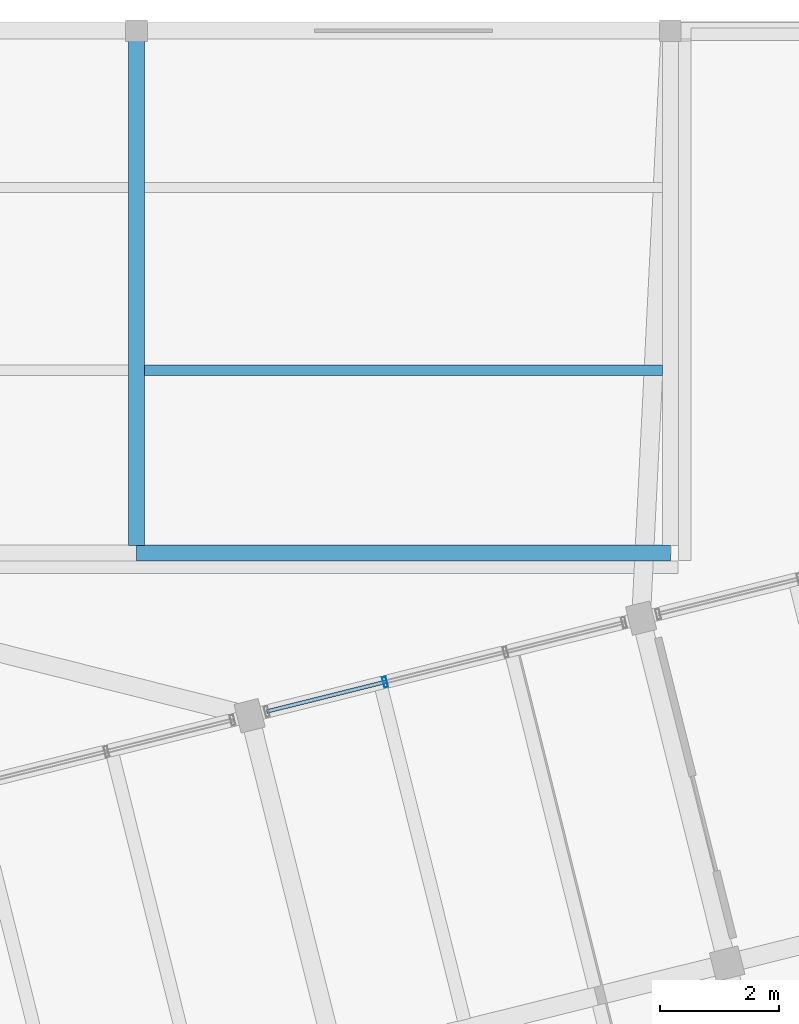
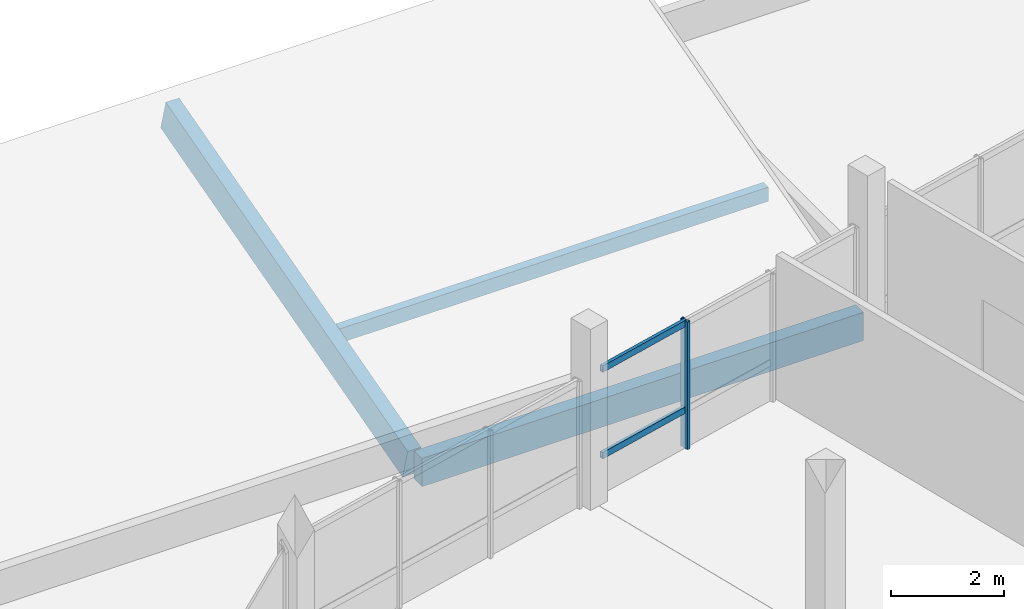
# One storey, part 26 of 37: 4 members, 2 beams, 1 element without a shape of its own.
"""IFC4 building model written with IfcOpenShell, lengths in metres."""

from ifc_helpers import new_model, si_unit, direction, frame, origin, origin_2d, place, context, subcontext, project, spatial, rectangle, hollow_rectangle, extrude, material, layer, layer_set, material_profile, profile_set, type_object, element, aggregate, save


model = new_model("IFC4")

# Units and contexts
model_context = context("Model", 3, precision=1e-05, world=origin(), true_north=direction((0.0, 1.0)))
body_context = subcontext(model_context, "Body", "Model", "MODEL_VIEW")
ifc_project = project(units=[si_unit("LENGTHUNIT", "METRE"), si_unit("AREAUNIT", "SQUARE_METRE"), si_unit("VOLUMEUNIT", "CUBIC_METRE"), si_unit("PLANEANGLEUNIT", "RADIAN"), si_unit("MASSUNIT", "GRAM", prefix="KILO")], contexts=[model_context])

# Site, building, storey
site_placement = place(None, origin())
site = spatial("IfcSite", under=ifc_project, at=site_placement, CompositionType="ELEMENT")
building_placement = place(site_placement, origin())
building = spatial("IfcBuilding", under=site, at=building_placement, Name="Meriwether Solvik Hall", CompositionType="ELEMENT")
storey_placement = place(building_placement, frame((0.0, 0.0, 26.10009765625)))
storey = spatial("IfcBuildingStorey", under=building, at=storey_placement, Name="L06", CompositionType="ELEMENT", Elevation=26.10009765625)

# Beams
ifc_material_1 = material(Name="Glulam Douglas-Fir 24F-V8 GL28h", Category="wood")
ifc_material_profile_1 = material_profile(ifc_material_1, rectangle(XDim=0.27294921875, YDim=0.610107421875, at=origin_2d()), Name="GLB-273X610")
ifc_profile_set_1 = profile_set([ifc_material_profile_1], Name="Glulam Douglas-Fir 24F-V8 GL28h")
beam_type_1 = type_object("IfcBeamType", Name="BM-GL-273X610", PredefinedType="SPANDREL", material=ifc_profile_set_1)
beam_1_placement = place(storey_placement, frame((86.800048828125, 84.0, -0.323974609375), z_axis=(1.0, 0.0, 0.0), x_axis=(0.0, 1.0, 0.0)))
element("IfcBeam", 1, at=beam_1_placement, inside=storey, type_object=beam_type_1, Name="Roof Tie Beam J:10-11 (L06)", PredefinedType="SPANDREL", context=body_context, shape_type="SweptSolid", body=[
    extrude(rectangle(XDim=0.27294921875, YDim=0.610107421875, at=origin_2d()), origin(), (0.0, 0.0, 1.0), 9.0),
])
ifc_material_2 = material(Name="Glulam Douglas-Fir 24F-V8 GL28h", Category="wood")
ifc_material_profile_2 = material_profile(ifc_material_2, rectangle(XDim=0.27294921875, YDim=0.68505859375, at=origin_2d()), Name="GLB-273X685")
ifc_profile_set_2 = profile_set([ifc_material_profile_2], Name="Glulam Douglas-Fir 24F-V8 GL28h")
beam_type_2 = type_object("IfcBeamType", Name="BM-GL-273X685", PredefinedType="BEAM", material=ifc_profile_set_2)
beam_2_placement = place(storey_placement, frame((86.800048828125, 84.21875, -0.31396484375), z_axis=(0.0, 0.964211732223, 0.265133429511), x_axis=(-1.0, 0.0, 0.0)))
element("IfcBeam", 2, at=beam_2_placement, inside=storey, type_object=beam_type_2, Name="Raking Glulam Roof Rafter w4b_north_w-10 (L06)", PredefinedType="BEAM", context=body_context, shape_type="SweptSolid", body=[
    extrude(rectangle(XDim=0.27294921875, YDim=0.68505859375, at=origin_2d()), origin(), (0.0, 0.0, 1.0), 8.861083984375),
])

# Curtain wall, members
ifc_material_3 = material(Name="Thermally Broken Anodised Aluminium 6063-T6 and Low-E Glass", Category="aluminium")
ifc_layer = layer(ifc_material_3, 0.179931640625)
ifc_layer_set = layer_set([ifc_layer], Name="Thermally Broken Anodised Aluminium 6063-T6 and Low-E Glass")
curtain_wall_type = type_object("IfcCurtainWallType", Name="CW-UNIT-E", PredefinedType="USERDEFINED", material=ifc_layer_set)
curtain_wall_placement = place(storey_placement, origin())
curtain_wall = element("IfcCurtainWall", 3, at=curtain_wall_placement, inside=storey, type_object=curtain_wall_type, Name="Curtain Wall E4_B4 (L06)", ObjectType="UNITISED CURTAIN WALL", PredefinedType="USERDEFINED")
ifc_material_4 = material(Name="Anodised Aluminium 6063-T6", Category="aluminium")
ifc_material_profile_3 = material_profile(ifc_material_4, hollow_rectangle(XDim=0.06494140625, YDim=0.179931640625, WallThickness=0.00439453125, at=origin_2d()), Name="CWM-65X180")
ifc_profile_set_3 = profile_set([ifc_material_profile_3], Name="Anodised Aluminium 6063-T6")
member_type_1 = type_object("IfcMemberType", Name="CW-MUL-65X180", PredefinedType="MULLION", material=ifc_profile_set_3)
member_1_placement = place(storey_placement, frame((90.990478515625, 81.823486328125, 0.0), z_axis=(0.0, 0.0, 1.0), x_axis=(0.970295747269, 0.2419218114, 0.0)))
member_1 = element("IfcMember", 4, at=member_1_placement, type_object=member_type_1, Name="Curtain Wall Mullion 2", PredefinedType="MULLION", context=body_context, shape_type="SweptSolid", body=[
    extrude(hollow_rectangle(XDim=0.06494140625, YDim=0.179931640625, WallThickness=0.00439453125, at=origin_2d()), origin(), (0.0, 0.0, 1.0), 2.75),
])
ifc_material_5 = material(Name="Anodised Aluminium 6063-T6", Category="aluminium")
ifc_material_profile_4 = material_profile(ifc_material_5, hollow_rectangle(XDim=0.06494140625, YDim=0.139892578125, WallThickness=0.00439453125, at=origin_2d()), Name="CWT-65X140")
ifc_profile_set_4 = profile_set([ifc_material_profile_4], Name="Anodised Aluminium 6063-T6")
member_type_2 = type_object("IfcMemberType", Name="CW-TRN-65X140", PredefinedType="USERDEFINED", material=ifc_profile_set_4)
member_2_placement = place(storey_placement, frame((88.995849609375, 81.326171875, 0.824951171875), z_axis=(0.970295999012, 0.241920801712, 0.0), x_axis=(-0.241920801712, 0.970295999012, 0.0)))
member_2 = element("IfcMember", 5, at=member_2_placement, type_object=member_type_2, Name="Curtain Wall Transom 1-sill", ObjectType="TRANSOM", PredefinedType="USERDEFINED", context=body_context, shape_type="SweptSolid", body=[
    extrude(hollow_rectangle(XDim=0.06494140625, YDim=0.139892578125, WallThickness=0.00439453125, at=origin_2d()), origin(), (0.0, 0.0, 1.0), 2.0556640625),
])
member_3_placement = place(storey_placement, frame((88.995849609375, 81.326171875, 2.68994140625), z_axis=(0.970295999012, 0.241920801712, 0.0), x_axis=(-0.241920801712, 0.970295999012, 0.0)))
member_3 = element("IfcMember", 6, at=member_3_placement, type_object=member_type_2, Name="Curtain Wall Transom 1-head", ObjectType="TRANSOM", PredefinedType="USERDEFINED", context=body_context, shape_type="SweptSolid", body=[
    extrude(hollow_rectangle(XDim=0.06494140625, YDim=0.139892578125, WallThickness=0.00439453125, at=origin_2d()), origin(), (0.0, 0.0, 1.0), 2.0556640625),
])
aggregate(curtain_wall, [member_1, member_2, member_3])

# Member
ifc_material_6 = material(Name="Glulam Douglas-Fir 24F-V8 GL28h", Category="wood")
ifc_material_profile_5 = material_profile(ifc_material_6, rectangle(XDim=0.175048828125, YDim=0.304931640625, at=origin_2d()), Name="GLM-175X305")
ifc_profile_set_5 = profile_set([ifc_material_profile_5], Name="Glulam Douglas-Fir 24F-V8 GL28h")
member_type_3 = type_object("IfcMemberType", Name="MEM-PRL-GL175", PredefinedType="PURLIN", material=ifc_profile_set_5)
member_4_placement = place(storey_placement, frame((86.9326171875, 87.080078125, 0.675537109375), z_axis=(1.0, 0.0, 0.0), x_axis=(0.0, 1.0, 0.0)))
element("IfcMember", 7, at=member_4_placement, inside=storey, type_object=member_type_3, Name="Sloped Roof Glulam Purlin w4b_north_w-4.1", PredefinedType="PURLIN", context=body_context, shape_type="SweptSolid", body=[
    extrude(rectangle(XDim=0.175048828125, YDim=0.304931640625, at=origin_2d()), origin(), (0.0, 0.0, 1.0), 8.73486328125),
])

save(model, "model.ifc")
